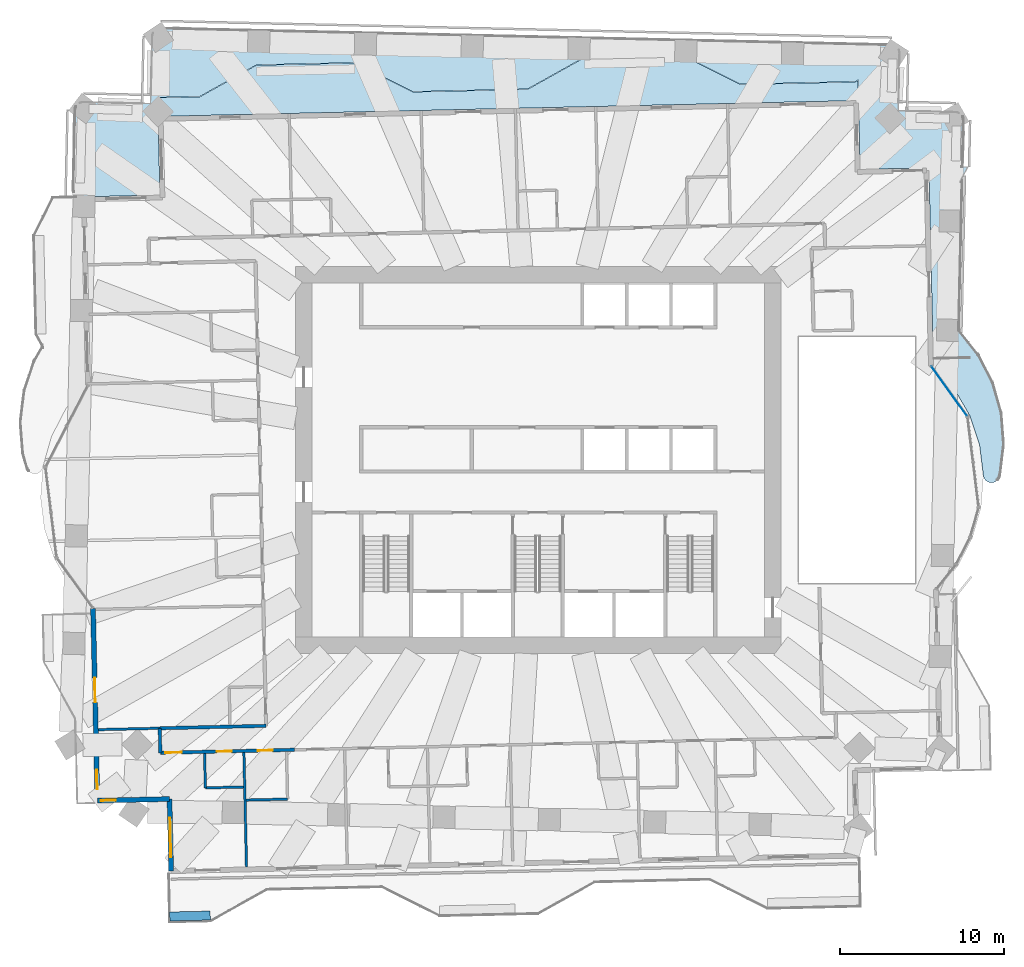
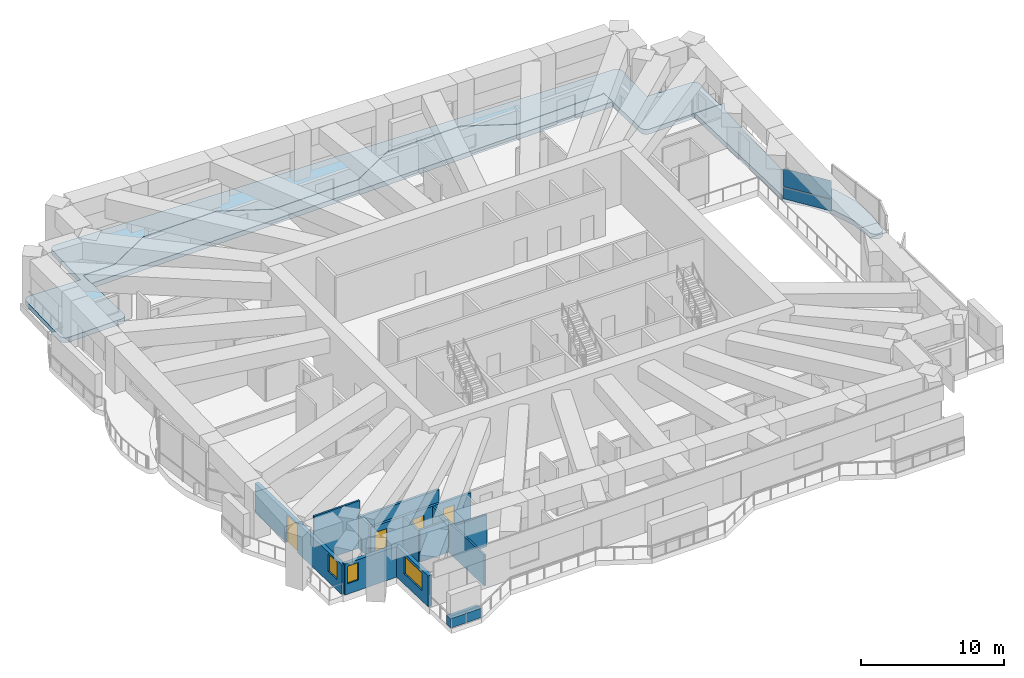
# One storey, part 9 of 21: 12 walls, 4 doors, 3 slabs, 3 windows, 2 plates, 7 openings, 1 element without a shape of its own.
"""IFC4 building model written with IfcOpenShell, lengths in metres."""

from ifc_helpers import new_model, si_unit, direction, frame, frame_2d, origin, origin_2d, place, context, subcontext, project, spatial, polyline, rectangle, outline, extrude, material, layer, layer_set, type_object, element, fill, aggregate, save


model = new_model("IFC4")

# Units and contexts
model_context = context("Model", 3, precision=1e-05, world=origin(), true_north=direction((0.0, 1.0)))
body_context = subcontext(model_context, "Body", "Model", "MODEL_VIEW")
ifc_project = project(units=[si_unit("LENGTHUNIT", "METRE"), si_unit("AREAUNIT", "SQUARE_METRE"), si_unit("VOLUMEUNIT", "CUBIC_METRE"), si_unit("PLANEANGLEUNIT", "RADIAN"), si_unit("MASSUNIT", "GRAM", prefix="KILO")], contexts=[model_context])

# Site, building, storey
site_placement = place(None, origin())
site = spatial("IfcSite", under=ifc_project, at=site_placement, CompositionType="ELEMENT")
building_placement = place(site_placement, origin())
building = spatial("IfcBuilding", under=site, at=building_placement, Name="Mangrove Gate Tower", CompositionType="ELEMENT")
storey_placement = place(building_placement, frame((0.0, 0.0, 125.5)))
storey = spatial("IfcBuildingStorey", under=building, at=storey_placement, Name="L31", CompositionType="ELEMENT", Elevation=125.5)

# Slabs
ifc_material_1 = material(Name="Porcelain tile")
ifc_layer_1 = layer(ifc_material_1, 0.02001953125, Name="Tile finish")
ifc_material_2 = material(Name="Cement sand screed")
ifc_layer_2 = layer(ifc_material_2, 0.0400390625, Name="Screed laid to falls")
ifc_material_3 = material(Name="Bituminous waterproofing membrane")
ifc_layer_3 = layer(ifc_material_3, 0.00390625, Name="Waterproofing")
ifc_material_4 = material(Name="Concrete C40/50", Category="concrete")
ifc_layer_4 = layer(ifc_material_4, 0.340087890625, Name="Balcony structural slab")
ifc_material_5 = material(Name="Limestone", Category="masonry")
ifc_layer_5 = layer(ifc_material_5, 0.01611328125, Name="Soffit lining")
ifc_layer_set_1 = layer_set([ifc_layer_1, ifc_layer_2, ifc_layer_3, ifc_layer_4, ifc_layer_5], Name="Balcony slab 420 C40/50")
slab_type_1 = type_object("IfcSlabType", Name="Balcony slab 420 C40/50", PredefinedType="FLOOR", material=ifc_layer_set_1)
slab_1_placement = place(storey_placement, frame((0.0, 0.0, -0.419921875)))
element("IfcSlab", 1, at=slab_1_placement, inside=storey, type_object=slab_type_1, Name="BALCONY L31 E1", PredefinedType="FLOOR", context=body_context, shape_type="SweptSolid", body=[
    extrude(outline(polyline([(24.10400390625, 6.06005859375), (24.10888671875, 6.055908203125), (24.110107421875, 6.051025390625), (24.10888671875, 6.0439453125), (24.10400390625, 6.0400390625), (24.10498046875, 5.992919921875), (24.10888671875, 5.943115234375), (24.116943359375, 5.89404296875), (24.131103515625, 5.845947265625), (24.14892578125, 5.799072265625), (24.1708984375, 5.7548828125), (24.197998046875, 5.712890625), (24.22998046875, 5.674072265625), (25.3720703125, 4.373046875), (26.324951171875, 2.716064453125), (26.929931640625, 0.902099609375), (27.156982421875, -0.93603515625), (27.166015625, -0.986083984375), (27.178955078125, -1.033935546875), (27.197021484375, -1.0810546875), (27.219970703125, -1.125), (27.2470703125, -1.1669921875), (27.278076171875, -1.2060546875), (27.31298828125, -1.241943359375), (27.35107421875, -1.27392578125), (27.39208984375, -1.302001953125), (27.43603515625, -1.325927734375), (27.48193359375, -1.344970703125), (27.530029296875, -1.360107421875), (27.5791015625, -1.3701171875), (27.62890625, -1.375), (27.678955078125, -1.375), (27.72802734375, -1.3701171875), (27.777099609375, -1.360107421875), (27.824951171875, -1.344970703125), (27.8701171875, -1.325927734375), (27.9140625, -1.302001953125), (27.9560546875, -1.27392578125), (27.993896484375, -1.240966796875), (28.029052734375, -1.2060546875), (28.06005859375, -1.1669921875), (28.0869140625, -1.125), (28.10888671875, -1.0810546875), (28.1279296875, -1.033935546875), (28.14697265625, -0.97705078125), (28.159912109375, -0.928955078125), (28.1689453125, -0.87890625), (28.389892578125, 0.9189453125), (28.39404296875, 0.969970703125), (28.39208984375, 1.01904296875), (28.2529296875, 2.825927734375), (28.24609375, 2.8759765625), (28.235107421875, 2.925048828125), (27.739990234375, 4.66796875), (27.72412109375, 4.716064453125), (27.702880859375, 4.760986328125), (26.873046875, 6.3720703125), (26.846923828125, 6.4150390625), (26.818115234375, 6.455078125), (25.660888671875, 7.89892578125), (25.654052734375, 7.910888671875), (25.861083984375, 17.073974609375), (25.85498046875, 17.072998046875), (25.85009765625, 17.074951171875), (25.845947265625, 17.0791015625), (25.844970703125, 17.0849609375), (26.2451171875, 17.886962890625), (23.8369140625, 17.83203125), (24.10400390625, 6.06005859375)])), origin(), (0.0, 0.0, 1.0), 0.419921875),
])
slab_2_placement = place(storey_placement, frame((0.0, 0.0, -0.419921875)))
element("IfcSlab", 2, at=slab_2_placement, inside=storey, type_object=slab_type_1, Name="BALCONY L31 N0", PredefinedType="FLOOR", context=body_context, shape_type="SweptSolid", body=[
    extrude(outline(polyline([(19.513916015625, 23.166015625), (19.344970703125, 23.072021484375), (12.345947265625, 22.9130859375), (8.804931640625, 24.68310546875), (2.806884765625, 24.547119140625), (-0.64990234375, 22.617919921875), (-7.64892578125, 22.4599609375), (-11.18994140625, 24.22900390625), (-17.18798828125, 24.093017578125), (-20.64501953125, 22.1640625), (-23.217041015625, 22.10595703125), (-23.19091796875, 20.966064453125), (19.5419921875, 21.93603515625), (19.513916015625, 23.166015625)])), origin(), (0.0, 0.0, 1.0), 0.419921875),
])

# Curtain wall, plates
ifc_material_6 = material(Name="Aluminium and glass curtain wall", Category="aluminium")
curtain_wall_type = type_object("IfcCurtainWallType", Name="Sky-lounge glazing wall", PredefinedType="NOTDEFINED", material=ifc_material_6)
curtain_wall_placement = place(storey_placement, origin())
curtain_wall = element("IfcCurtainWall", 3, at=curtain_wall_placement, inside=storey, type_object=curtain_wall_type, Name="Sky-lounge glazing E1f5", PredefinedType="NOTDEFINED")
ifc_material_7 = material(Name="Laminated low-e glass", Category="glass")
ifc_layer_6 = layer(ifc_material_7, 0.030029296875)
ifc_layer_set_2 = layer_set([ifc_layer_6], Name="Sky-lounge glazing panel 30")
plate_type = type_object("IfcPlateType", Name="Sky-lounge glazing panel 30", PredefinedType="CURTAIN_PANEL", material=ifc_layer_set_2)
plate_1_placement = place(storey_placement, frame((25.07421875, 4.203125, 0.0), z_axis=(0.0, 0.0, 1.0), x_axis=(-0.583670260949, 0.811990779802, 0.0)))
plate_1 = element("IfcPlate", 4, at=plate_1_placement, type_object=plate_type, Name="CWK panel 1.1", PredefinedType="CURTAIN_PANEL", context=body_context, shape_type="SweptSolid", body=[
    extrude(rectangle(XDim=3.696044921875, YDim=0.030029296875, at=origin_2d()), origin(), (0.0, 0.0, 1.0), 0.969970703125),
])
plate_2_placement = place(storey_placement, frame((25.07421875, 4.203125, 1.030029296875), z_axis=(0.0, 0.0, 1.0), x_axis=(-0.583670260949, 0.811990779802, 0.0)))
plate_2 = element("IfcPlate", 5, at=plate_2_placement, type_object=plate_type, Name="CWK panel 1.2", PredefinedType="CURTAIN_PANEL", context=body_context, shape_type="SweptSolid", body=[
    extrude(rectangle(XDim=3.696044921875, YDim=0.030029296875, at=origin_2d()), origin(), (0.0, 0.0, 1.0), 1.56005859375),
])
aggregate(curtain_wall, [plate_1, plate_2])

# Slab
ifc_material_8 = material(Name="Granite", Category="masonry")
ifc_layer_7 = layer(ifc_material_8, 0.030029296875, Name="Granite paving")
ifc_layer_8 = layer(ifc_material_2, 0.0400390625, Name="Bedding screed")
ifc_layer_9 = layer(ifc_material_3, 0.0048828125, Name="Waterproofing")
ifc_material_9 = material(Name="Extruded polystyrene insulation")
ifc_layer_10 = layer(ifc_material_9, 0.0400390625, Name="Insulation")
ifc_layer_11 = layer(ifc_material_4, 0.304931640625, Name="Terrace structural slab")
ifc_layer_set_3 = layer_set([ifc_layer_7, ifc_layer_8, ifc_layer_9, ifc_layer_10, ifc_layer_11], Name="Terrace slab C40/50")
slab_type_2 = type_object("IfcSlabType", Name="Terrace slab C40/50", PredefinedType="FLOOR", material=ifc_layer_set_3)
slab_3_placement = place(storey_placement, frame((0.0, 0.0, -0.419921875)))
element("IfcSlab", 6, at=slab_3_placement, inside=storey, type_object=slab_type_2, Name="TERRACE L31 1", PredefinedType="FLOOR", context=body_context, shape_type="SweptSolid", body=[
    extrude(outline(polyline([(-27.9990234375, 16.074951171875), (-27.881103515625, 16.077880859375), (-27.87890625, 16.077880859375), (-27.8779296875, 16.077880859375), (-27.8759765625, 16.076904296875), (-27.8740234375, 16.076904296875), (-27.8720703125, 16.075927734375), (-27.8701171875, 16.074951171875), (-27.868896484375, 16.073974609375), (-27.866943359375, 16.072021484375), (-27.865966796875, 16.071044921875), (-27.864990234375, 16.069091796875), (-27.864013671875, 16.068115234375), (-27.863037109375, 16.06591796875), (-27.862060546875, 16.06396484375), (-27.861083984375, 16.06201171875), (-27.861083984375, 16.06005859375), (-27.861083984375, 16.05908203125), (-23.58203125, 16.156005859375), (-23.532958984375, 16.158935546875), (-23.48388671875, 16.16796875), (-23.43701171875, 16.180908203125), (-23.39111328125, 16.197998046875), (-23.346923828125, 16.219970703125), (-23.305908203125, 16.24609375), (-23.26708984375, 16.277099609375), (-23.23095703125, 16.31005859375), (-23.198974609375, 16.346923828125), (-23.1708984375, 16.386962890625), (-23.14697265625, 16.429931640625), (-23.126953125, 16.47509765625), (-23.111083984375, 16.52197265625), (-23.10009765625, 16.569091796875), (-23.093994140625, 16.617919921875), (-23.093017578125, 16.6669921875), (-23.18994140625, 20.946044921875), (-23.19091796875, 20.946044921875), (-23.193115234375, 20.946044921875), (-23.194091796875, 20.946044921875), (-23.196044921875, 20.947021484375), (-23.197998046875, 20.947021484375), (-23.199951171875, 20.947998046875), (-23.201904296875, 20.948974609375), (-23.202880859375, 20.949951171875), (-23.205078125, 20.951904296875), (-23.2060546875, 20.952880859375), (-23.20703125, 20.955078125), (-23.2080078125, 20.9560546875), (-23.208984375, 20.9580078125), (-23.2099609375, 20.9599609375), (-23.2109375, 20.9619140625), (-23.2109375, 20.964111328125), (-23.2109375, 20.966064453125), (-23.237060546875, 22.10595703125), (-23.237060546875, 22.10791015625), (-23.237060546875, 22.10888671875), (-23.236083984375, 22.111083984375), (-23.236083984375, 22.113037109375), (-23.235107421875, 22.114990234375), (-23.23388671875, 22.116943359375), (-23.23291015625, 22.117919921875), (-23.23095703125, 22.1201171875), (-23.22998046875, 22.12109375), (-23.22802734375, 22.1220703125), (-23.22705078125, 22.123046875), (-23.22509765625, 22.1240234375), (-23.222900390625, 22.125), (-23.220947265625, 22.1259765625), (-23.218994140625, 22.1259765625), (-23.217041015625, 22.1259765625), (-20.64990234375, 22.18408203125), (-17.197998046875, 24.110107421875), (-17.196044921875, 24.111083984375), (-17.194091796875, 24.112060546875), (-17.19189453125, 24.113037109375), (-17.18994140625, 24.113037109375), (-17.18798828125, 24.113037109375), (-11.18994140625, 24.2490234375), (-11.18896484375, 24.2490234375), (-11.18701171875, 24.2490234375), (-11.18505859375, 24.248046875), (-11.18310546875, 24.248046875), (-11.180908203125, 24.2470703125), (-7.64404296875, 22.47900390625), (-1.85009765625, 22.611083984375), (-0.655029296875, 22.637939453125), (2.797119140625, 24.56396484375), (2.799072265625, 24.56494140625), (2.801025390625, 24.56591796875), (2.802978515625, 24.56689453125), (2.804931640625, 24.56689453125), (2.806884765625, 24.56689453125), (8.804931640625, 24.702880859375), (8.805908203125, 24.702880859375), (8.80810546875, 24.702880859375), (8.81005859375, 24.701904296875), (8.81201171875, 24.701904296875), (8.81396484375, 24.700927734375), (12.35107421875, 22.93310546875), (19.340087890625, 23.092041015625), (19.50390625, 23.18310546875), (19.506103515625, 23.18408203125), (19.508056640625, 23.18505859375), (19.510009765625, 23.18603515625), (19.511962890625, 23.18603515625), (19.513916015625, 23.18603515625), (19.51611328125, 23.18603515625), (19.51806640625, 23.18603515625), (19.51904296875, 23.18505859375), (19.52099609375, 23.18505859375), (19.52294921875, 23.18408203125), (19.52490234375, 23.18310546875), (19.52587890625, 23.181884765625), (19.528076171875, 23.179931640625), (19.529052734375, 23.178955078125), (19.530029296875, 23.177001953125), (19.531005859375, 23.176025390625), (19.531982421875, 23.174072265625), (19.532958984375, 23.172119140625), (19.533935546875, 23.169921875), (19.533935546875, 23.16796875), (19.533935546875, 23.166015625), (19.56201171875, 21.93603515625), (19.56201171875, 21.93408203125), (19.56201171875, 21.93310546875), (19.56103515625, 21.930908203125), (19.56103515625, 21.928955078125), (19.56005859375, 21.927001953125), (19.55908203125, 21.925048828125), (19.55810546875, 21.924072265625), (19.555908203125, 21.922119140625), (19.554931640625, 21.9208984375), (19.552978515625, 21.919921875), (19.552001953125, 21.9189453125), (19.550048828125, 21.91796875), (19.548095703125, 21.9169921875), (19.5458984375, 21.916015625), (19.5439453125, 21.916015625), (19.54296875, 21.916015625), (19.6259765625, 18.237060546875), (19.6298828125, 18.18798828125), (19.637939453125, 18.138916015625), (19.65087890625, 18.092041015625), (19.6689453125, 18.0458984375), (19.69091796875, 18.001953125), (19.717041015625, 17.9609375), (19.7470703125, 17.922119140625), (19.781005859375, 17.886962890625), (19.818115234375, 17.85400390625), (19.85791015625, 17.825927734375), (19.90087890625, 17.802001953125), (19.945068359375, 17.781982421875), (19.991943359375, 17.76611328125), (20.0400390625, 17.756103515625), (20.087890625, 17.7490234375), (20.137939453125, 17.748046875), (23.81689453125, 17.83203125), (23.81689453125, 17.833984375), (23.81689453125, 17.8349609375), (23.818115234375, 17.8369140625), (23.818115234375, 17.839111328125), (23.819091796875, 17.841064453125), (23.820068359375, 17.843017578125), (23.821044921875, 17.843994140625), (23.822998046875, 17.845947265625), (23.823974609375, 17.846923828125), (23.825927734375, 17.847900390625), (23.826904296875, 17.84912109375), (23.8291015625, 17.85009765625), (23.8310546875, 17.85107421875), (23.8330078125, 17.85205078125), (23.8349609375, 17.85205078125), (23.8369140625, 17.85205078125), (25.8798828125, 17.89892578125), (25.944091796875, 20.72998046875), (25.943115234375, 20.779052734375), (25.93701171875, 20.827880859375), (25.926025390625, 20.8759765625), (25.909912109375, 20.922119140625), (25.889892578125, 20.967041015625), (25.865966796875, 21.010009765625), (25.837890625, 21.050048828125), (25.805908203125, 21.0869140625), (25.77001953125, 21.12109375), (25.73095703125, 21.15087890625), (25.68994140625, 21.177001953125), (25.64599609375, 21.198974609375), (25.60009765625, 21.216064453125), (25.552978515625, 21.22900390625), (25.50390625, 21.238037109375), (25.455078125, 21.240966796875), (21.968994140625, 21.320068359375), (21.95703125, 21.321044921875), (21.95703125, 21.3330078125), (22.035888671875, 24.820068359375), (22.033935546875, 24.868896484375), (22.028076171875, 24.9169921875), (22.01806640625, 24.965087890625), (22.001953125, 25.011962890625), (21.98193359375, 25.056884765625), (21.9580078125, 25.09912109375), (21.928955078125, 25.138916015625), (21.89697265625, 25.177001953125), (21.862060546875, 25.2099609375), (21.822998046875, 25.239990234375), (21.781982421875, 25.26708984375), (21.738037109375, 25.2890625), (21.69189453125, 25.305908203125), (21.64501953125, 25.319091796875), (21.595947265625, 25.326904296875), (21.547119140625, 25.3310546875), (-23.049072265625, 26.343017578125), (-23.097900390625, 26.342041015625), (-23.14697265625, 26.3359375), (-23.195068359375, 26.324951171875), (-23.240966796875, 26.30908203125), (-23.285888671875, 26.2890625), (-23.3291015625, 26.264892578125), (-23.368896484375, 26.237060546875), (-23.406005859375, 26.205078125), (-23.43994140625, 26.1689453125), (-23.469970703125, 26.1298828125), (-23.49609375, 26.089111328125), (-23.51806640625, 26.044921875), (-23.535888671875, 25.9990234375), (-23.549072265625, 25.951904296875), (-23.556884765625, 25.903076171875), (-23.56103515625, 25.85400390625), (-23.653076171875, 21.76806640625), (-23.654052734375, 21.756103515625), (-23.666015625, 21.756103515625), (-27.751953125, 21.84912109375), (-27.802001953125, 21.846923828125), (-27.85009765625, 21.841064453125), (-27.89794921875, 21.830078125), (-27.945068359375, 21.81494140625), (-27.989013671875, 21.794921875), (-28.031982421875, 21.77099609375), (-28.072021484375, 21.741943359375), (-28.10888671875, 21.7099609375), (-28.14306640625, 21.675048828125), (-28.173095703125, 21.635986328125), (-28.198974609375, 21.593994140625), (-28.220947265625, 21.550048828125), (-28.239013671875, 21.5048828125), (-28.251953125, 21.45703125), (-28.260009765625, 21.408935546875), (-28.263916015625, 21.360107421875), (-28.3720703125, 16.570068359375), (-28.37109375, 16.52001953125), (-28.364990234375, 16.468994140625), (-28.35302734375, 16.419921875), (-28.3369140625, 16.373046875), (-28.31494140625, 16.326904296875), (-28.2900390625, 16.282958984375), (-28.260009765625, 16.242919921875), (-28.22607421875, 16.205078125), (-28.18896484375, 16.1708984375), (-28.14794921875, 16.14111328125), (-28.10400390625, 16.115966796875), (-28.05908203125, 16.094970703125), (-28.010986328125, 16.077880859375), (-27.9990234375, 16.074951171875)])), origin(), (0.0, 0.0, 1.0), 0.419921875),
])

# Wall
ifc_material_10 = material(Name="Gypsum board on steel stud, EI 60", Category="steel")
ifc_layer_12 = layer(ifc_material_10, 0.199951171875)
ifc_layer_set_4 = layer_set([ifc_layer_12], Name="Corridor wall EI 60")
wall_type_1 = type_object("IfcWallType", Name="Corridor wall EI 60", PredefinedType="PARTITIONING", material=ifc_layer_set_4)
wall_1_placement = place(storey_placement, frame((-23.05810546875, -17.864990234375, 0.0), z_axis=(0.0, 0.0, 1.0), x_axis=(-0.022617910375, 0.999744182344, 0.0)))
element("IfcWall", 7, at=wall_1_placement, inside=storey, type_object=wall_type_1, Name="WALL-L31-020", PredefinedType="PARTITIONING", context=body_context, shape_type="SweptSolid", body=[
    extrude(rectangle(XDim=1.50048828125, YDim=0.199951171875, at=frame_2d((0.750244140625, 0.0))), origin(), (0.0, 0.0, 1.0), 2.85009765625),
])

# Wall, openings, doors
wall_2_placement = place(storey_placement, frame((-23.052978515625, -17.861083984375, 0.0), z_axis=(0.0, 0.0, 1.0), x_axis=(0.999741542811, 0.022734282003, 0.0)))
wall_2 = element("IfcWall", 8, at=wall_2_placement, inside=storey, type_object=wall_type_1, Name="WALL-L31-022", PredefinedType="PARTITIONING", context=body_context, shape_type="SweptSolid", body=[
    extrude(rectangle(XDim=8.18310546875, YDim=0.199951171875, at=frame_2d((4.091552734375, 0.0))), origin(), (0.0, 0.0, 1.0), 2.64990234375),
])
opening_1_placement = place(wall_2_placement, frame((0.300048828125, 0.0, 0.0)))
opening_1 = element("IfcOpeningElement", 9, at=opening_1_placement, cuts=wall_2, Name="Opening AD", PredefinedType="OPENING", context=body_context, shape_type="SweptSolid", body=[
    extrude(rectangle(XDim=1.0, YDim=2.10009765625, at=frame_2d((0.5, 1.050048828125))), frame((0.0, 0.10986328125, 0.0), z_axis=(0.0, -1.0, 0.0), x_axis=(1.0, 0.0, 0.0)), (0.0, 0.0, 1.0), 0.219970703125),
])
opening_2_placement = place(wall_2_placement, frame((3.443115234375, 0.0, 0.0)))
opening_2 = element("IfcOpeningElement", 10, at=opening_2_placement, cuts=wall_2, Name="Opening SD", PredefinedType="OPENING", context=body_context, shape_type="SweptSolid", body=[
    extrude(rectangle(XDim=0.89990234375, YDim=2.10009765625, at=frame_2d((0.449951171875, 1.050048828125))), frame((0.0, 0.10986328125, 0.0), z_axis=(0.0, -1.0, 0.0), x_axis=(1.0, 0.0, 0.0)), (0.0, 0.0, 1.0), 0.219970703125),
])
opening_3_placement = place(wall_2_placement, frame((5.943115234375, 0.0, 0.0)))
opening_3 = element("IfcOpeningElement", 11, at=opening_3_placement, cuts=wall_2, Name="Opening SD", PredefinedType="OPENING", context=body_context, shape_type="SweptSolid", body=[
    extrude(rectangle(XDim=0.89990234375, YDim=2.10009765625, at=frame_2d((0.449951171875, 1.050048828125))), frame((0.0, 0.10986328125, 0.0), z_axis=(0.0, -1.0, 0.0), x_axis=(1.0, 0.0, 0.0)), (0.0, 0.0, 1.0), 0.219970703125),
])
ifc_material_11 = material(Name="Timber door leaf", Category="wood")
door_type_1 = type_object("IfcDoorType", Name="Amenity door 1000", OperationType="SINGLE_SWING_LEFT", PredefinedType="DOOR", material=ifc_material_11)
door_1_placement = place(opening_1_placement, origin())
door_1 = element("IfcDoor", 12, at=door_1_placement, inside=storey, type_object=door_type_1, Name="DOOR-L31-STU-c1a", OperationType="SINGLE_SWING_LEFT", OverallHeight=2.10009765625, OverallWidth=1.0, PredefinedType="DOOR", context=body_context, shape_type="SweptSolid", body=[
    extrude(rectangle(XDim=1.0, YDim=2.10009765625, at=frame_2d((0.5, 1.050048828125))), frame((0.0, 0.02490234375, 0.0), z_axis=(0.0, -1.0, 0.0), x_axis=(1.0, 0.0, 0.0)), (0.0, 0.0, 1.0), 0.050048828125),
])
fill(opening_1, door_1)
ifc_material_12 = material(Name="Timber door leaf", Category="wood")
door_type_2 = type_object("IfcDoorType", Name="Service room door 900", OperationType="SINGLE_SWING_LEFT", PredefinedType="DOOR", material=ifc_material_12)
door_2_placement = place(opening_2_placement, origin())
door_2 = element("IfcDoor", 13, at=door_2_placement, inside=storey, type_object=door_type_2, Name="DOOR-L31-LIN-c1a", OperationType="SINGLE_SWING_LEFT", OverallHeight=2.10009765625, OverallWidth=0.89990234375, PredefinedType="DOOR", context=body_context, shape_type="SweptSolid", body=[
    extrude(rectangle(XDim=0.89990234375, YDim=2.10009765625, at=frame_2d((0.449951171875, 1.050048828125))), frame((0.0, 0.02490234375, 0.0), z_axis=(0.0, -1.0, 0.0), x_axis=(1.0, 0.0, 0.0)), (0.0, 0.0, 1.0), 0.050048828125),
])
fill(opening_2, door_2)
door_3_placement = place(opening_3_placement, origin())
door_3 = element("IfcDoor", 14, at=door_3_placement, inside=storey, type_object=door_type_2, Name="DOOR-L31-AWC-c1a", OperationType="SINGLE_SWING_RIGHT", OverallHeight=2.10009765625, OverallWidth=0.89990234375, PredefinedType="DOOR", context=body_context, shape_type="SweptSolid", body=[
    extrude(rectangle(XDim=0.89990234375, YDim=2.10009765625, at=frame_2d((0.449951171875, 1.050048828125))), frame((0.0, 0.02490234375, 0.0), z_axis=(0.0, -1.0, 0.0), x_axis=(1.0, 0.0, 0.0)), (0.0, 0.0, 1.0), 0.050048828125),
])
fill(opening_3, door_3)

# Wall
wall_3_placement = place(storey_placement, frame((-23.0869140625, -16.361083984375, 0.0), z_axis=(0.0, 0.0, 1.0), x_axis=(0.999743116792, 0.022664960319, 0.0)))
element("IfcWall", 15, at=wall_3_placement, inside=storey, type_object=wall_type_1, Name="WALL-L31-029", PredefinedType="PARTITIONING", context=body_context, shape_type="SweptSolid", body=[
    extrude(rectangle(XDim=6.484619140625, YDim=0.199951171875, at=frame_2d((3.2421875, 0.0))), origin(), (0.0, 0.0, 1.0), 2.64990234375),
])

# Wall, openings, door, window
ifc_layer_13 = layer(ifc_material_5, 0.0400390625, Name="Limestone cladding")
ifc_material_13 = material(Name="Ventilated air gap")
ifc_layer_14 = layer(ifc_material_13, 0.0400390625, Name="Ventilated cavity")
ifc_material_14 = material(Name="Mineral wool insulation")
ifc_layer_15 = layer(ifc_material_14, 0.06005859375, Name="Insulation")
ifc_material_15 = material(Name="Breather membrane")
ifc_layer_16 = layer(ifc_material_15, 0.001953125, Name="Breather membrane")
ifc_material_16 = material(Name="Concrete C20/25 blockwork", Category="masonry")
ifc_layer_17 = layer(ifc_material_16, 0.14990234375, Name="Blockwork backing wall")
ifc_material_17 = material(Name="Gypsum plaster")
ifc_layer_18 = layer(ifc_material_17, 0.008056640625, Name="Internal plaster")
ifc_layer_set_5 = layer_set([ifc_layer_13, ifc_layer_14, ifc_layer_15, ifc_layer_16, ifc_layer_17, ifc_layer_18], Name="External wall 300 limestone cladding")
wall_type_2 = type_object("IfcWallType", Name="External wall 300 limestone cladding", PredefinedType="SOLIDWALL", material=ifc_layer_set_5)
wall_4_placement = place(storey_placement, frame((-27.160888671875, -9.052001953125, 0.0), z_axis=(0.0, 0.0, 1.0), x_axis=(0.022665616813, -0.999743101909, 0.0)))
wall_4 = element("IfcWall", 16, at=wall_4_placement, inside=storey, type_object=wall_type_2, Name="WALL-L31-W10", PredefinedType="SOLIDWALL", context=body_context, shape_type="SweptSolid", body=[
    extrude(rectangle(XDim=11.72998046875, YDim=0.300048828125, at=frame_2d((5.864990234375, 0.0))), origin(), (0.0, 0.0, 1.0), 2.550048828125),
])
opening_4_placement = place(wall_4_placement, frame((4.23095703125, 0.0, 0.0)))
opening_4 = element("IfcOpeningElement", 17, at=opening_4_placement, cuts=wall_4, Name="Opening BD1", PredefinedType="OPENING", context=body_context, shape_type="SweptSolid", body=[
    extrude(rectangle(XDim=1.5, YDim=2.39990234375, at=frame_2d((0.75, 1.199951171875))), frame((0.0, 0.159912109375, 0.0), z_axis=(0.0, -1.0, 0.0), x_axis=(1.0, 0.0, 0.0)), (0.0, 0.0, 1.0), 0.320068359375),
])
opening_5_placement = place(wall_4_placement, frame((9.846923828125, 0.0, 0.89990234375)))
opening_5 = element("IfcOpeningElement", 18, at=opening_5_placement, cuts=wall_4, Name="Opening W1", PredefinedType="OPENING", context=body_context, shape_type="SweptSolid", body=[
    extrude(rectangle(XDim=1.199951171875, YDim=1.5, at=frame_2d((0.60009765625, 0.75))), frame((0.0, 0.159912109375, 0.0), z_axis=(0.0, -1.0, 0.0), x_axis=(1.0, 0.0, 0.0)), (0.0, 0.0, 1.0), 0.320068359375),
])
ifc_material_18 = material(Name="Aluminium frame with laminated clear glass", Category="aluminium")
door_type_3 = type_object("IfcDoorType", Name="Balcony sliding door 1500x2400", OperationType="SLIDING_TO_LEFT", PredefinedType="DOOR", material=ifc_material_18)
door_4_placement = place(opening_4_placement, origin())
door_4 = element("IfcDoor", 19, at=door_4_placement, inside=storey, type_object=door_type_3, Name="DOOR-L31-W10-1", OperationType="SLIDING_TO_LEFT", OverallHeight=2.39990234375, OverallWidth=1.5, PredefinedType="DOOR", context=body_context, shape_type="SweptSolid", body=[
    extrude(rectangle(XDim=1.5, YDim=2.39990234375, at=frame_2d((0.75, 1.199951171875))), frame((0.0, 0.02490234375, 0.0), z_axis=(0.0, -1.0, 0.0), x_axis=(1.0, 0.0, 0.0)), (0.0, 0.0, 1.0), 0.050048828125),
])
fill(opening_4, door_4)
ifc_material_19 = material(Name="Aluminium frame with double-glazed low-e glass", Category="aluminium")
window_type_1 = type_object("IfcWindowType", Name="Side lite 1200x1500", PartitioningType="SINGLE_PANEL", PredefinedType="WINDOW", material=ifc_material_19)
window_1_placement = place(opening_5_placement, origin())
window_1 = element("IfcWindow", 20, at=window_1_placement, inside=storey, type_object=window_type_1, Name="WIN-L31-W10-2", OverallHeight=1.5, OverallWidth=1.199951171875, PartitioningType="SINGLE_PANEL", PredefinedType="WINDOW", context=body_context, shape_type="SweptSolid", body=[
    extrude(rectangle(XDim=1.199951171875, YDim=1.5, at=frame_2d((0.60009765625, 0.75))), frame((0.0, 0.030029296875, 0.0), z_axis=(0.0, -1.0, 0.0), x_axis=(1.0, 0.0, 0.0)), (0.0, 0.0, 1.0), 0.06005859375),
])
fill(opening_5, window_1)

# Wall, opening, window
wall_5_placement = place(storey_placement, frame((-26.89501953125, -20.779052734375, 0.0), z_axis=(0.0, 0.0, 1.0), x_axis=(0.999741204967, 0.022749133868, 0.0)))
wall_5 = element("IfcWall", 21, at=wall_5_placement, inside=storey, type_object=wall_type_2, Name="WALL-L31-S11", PredefinedType="SOLIDWALL", context=body_context, shape_type="SweptSolid", body=[
    extrude(rectangle(XDim=4.400146484375, YDim=0.300048828125, at=frame_2d((2.2001953125, 0.0))), origin(), (0.0, 0.0, 1.0), 2.64990234375),
])
opening_6_placement = place(wall_5_placement, frame((0.2109375, 0.0, 0.89990234375)))
opening_6 = element("IfcOpeningElement", 22, at=opening_6_placement, cuts=wall_5, Name="Opening W5", PredefinedType="OPENING", context=body_context, shape_type="SweptSolid", body=[
    extrude(rectangle(XDim=0.89990234375, YDim=1.5, at=frame_2d((0.449951171875, 0.75))), frame((0.0, 0.159912109375, 0.0), z_axis=(0.0, -1.0, 0.0), x_axis=(1.0, 0.0, 0.0)), (0.0, 0.0, 1.0), 0.320068359375),
])
ifc_material_20 = material(Name="Aluminium frame with double-glazed low-e glass", Category="aluminium")
window_type_2 = type_object("IfcWindowType", Name="Narrow window 900x1500", PartitioningType="SINGLE_PANEL", PredefinedType="WINDOW", material=ifc_material_20)
window_2_placement = place(opening_6_placement, origin())
window_2 = element("IfcWindow", 23, at=window_2_placement, inside=storey, type_object=window_type_2, Name="WIN-L31-S11-1", OverallHeight=1.5, OverallWidth=0.89990234375, PartitioningType="SINGLE_PANEL", PredefinedType="WINDOW", context=body_context, shape_type="SweptSolid", body=[
    extrude(rectangle(XDim=0.89990234375, YDim=1.5, at=frame_2d((0.449951171875, 0.75))), frame((0.0, 0.030029296875, 0.0), z_axis=(0.0, -1.0, 0.0), x_axis=(1.0, 0.0, 0.0)), (0.0, 0.0, 1.0), 0.06005859375),
])
fill(opening_6, window_2)

wall_6_placement = place(storey_placement, frame((-22.49609375, -20.678955078125, 0.0), z_axis=(0.0, 0.0, 1.0), x_axis=(0.022749133868, -0.999741204967, 0.0)))
wall_6 = element("IfcWall", 24, at=wall_6_placement, inside=storey, type_object=wall_type_2, Name="WALL-L31-W12", PredefinedType="SOLIDWALL", context=body_context, shape_type="SweptSolid", body=[
    extrude(rectangle(XDim=4.400146484375, YDim=0.300048828125, at=frame_2d((2.2001953125, 0.0))), origin(), (0.0, 0.0, 1.0), 2.64990234375),
])
opening_7_placement = place(wall_6_placement, frame((1.14990234375, 0.0, 0.89990234375)))
opening_7 = element("IfcOpeningElement", 25, at=opening_7_placement, cuts=wall_6, Name="Opening W2", PredefinedType="OPENING", context=body_context, shape_type="SweptSolid", body=[
    extrude(rectangle(XDim=2.39990234375, YDim=1.5, at=frame_2d((1.199951171875, 0.75))), frame((0.0, 0.159912109375, 0.0), z_axis=(0.0, -1.0, 0.0), x_axis=(1.0, 0.0, 0.0)), (0.0, 0.0, 1.0), 0.320068359375),
])
ifc_material_21 = material(Name="Aluminium frame with double-glazed low-e glass", Category="aluminium")
window_type_3 = type_object("IfcWindowType", Name="Corner room window 2400x1500", PartitioningType="DOUBLE_PANEL_VERTICAL", PredefinedType="WINDOW", material=ifc_material_21)
window_3_placement = place(opening_7_placement, origin())
window_3 = element("IfcWindow", 26, at=window_3_placement, inside=storey, type_object=window_type_3, Name="WIN-L31-W12-1", OverallHeight=1.5, OverallWidth=2.39990234375, PartitioningType="DOUBLE_PANEL_VERTICAL", PredefinedType="WINDOW", context=body_context, shape_type="SweptSolid", body=[
    extrude(rectangle(XDim=2.39990234375, YDim=1.5, at=frame_2d((1.199951171875, 0.75))), frame((0.0, 0.030029296875, 0.0), z_axis=(0.0, -1.0, 0.0), x_axis=(1.0, 0.0, 0.0)), (0.0, 0.0, 1.0), 0.06005859375),
])
fill(opening_7, window_3)

# Walls
ifc_material_22 = material(Name="Gypsum board on steel stud, EI 60", Category="steel")
ifc_layer_19 = layer(ifc_material_22, 0.14990234375)
ifc_layer_set_6 = layer_set([ifc_layer_19], Name="Party wall 150 EI 60")
wall_type_3 = type_object("IfcWallType", Name="Party wall 150 EI 60", PredefinedType="PARTITIONING", material=ifc_layer_set_6)
wall_7_placement = place(storey_placement, frame((-17.798095703125, -24.823974609375, 0.0), z_axis=(0.0, 0.0, 1.0), x_axis=(-0.022781023197, 0.999740478815, 0.0)))
element("IfcWall", 27, at=wall_7_placement, inside=storey, type_object=wall_type_3, Name="WALL-L31-001", PredefinedType="PARTITIONING", context=body_context, shape_type="SweptSolid", body=[
    extrude(rectangle(XDim=6.9765625, YDim=0.14990234375, at=frame_2d((3.48828125, 0.0))), origin(), (0.0, 0.0, 1.0), 2.64990234375),
])
wall_8_placement = place(storey_placement, frame((-17.818115234375, -20.742919921875, 0.0), z_axis=(0.0, 0.0, 1.0), x_axis=(0.999746160391, 0.022530308093, 0.0)))
element("IfcWall", 28, at=wall_8_placement, inside=storey, type_object=wall_type_3, Name="WALL-L31-008", PredefinedType="PARTITIONING", context=body_context, shape_type="SweptSolid", body=[
    extrude(rectangle(XDim=2.52490234375, YDim=0.14990234375, at=frame_2d((1.262451171875, 0.0))), origin(), (0.0, 0.0, 1.0), 2.75),
])
wall_9_placement = place(storey_placement, frame((-20.30810546875, -20.0029296875, 0.0), z_axis=(0.0, 0.0, 1.0), x_axis=(-0.022792727877, 0.999740212033, 0.0)))
element("IfcWall", 29, at=wall_9_placement, inside=storey, type_object=wall_type_3, Name="WALL-L31-014", PredefinedType="PARTITIONING", context=body_context, shape_type="SweptSolid", body=[
    extrude(rectangle(XDim=2.099365234375, YDim=0.14990234375, at=frame_2d((1.0498046875, 0.0))), origin(), (0.0, 0.0, 1.0), 2.64990234375),
])
wall_10_placement = place(storey_placement, frame((-20.31103515625, -19.9990234375, 0.0), z_axis=(0.0, 0.0, 1.0), x_axis=(0.999740478815, 0.022781023197, 0.0)))
element("IfcWall", 30, at=wall_10_placement, inside=storey, type_object=wall_type_3, Name="WALL-L31-017", PredefinedType="PARTITIONING", context=body_context, shape_type="SweptSolid", body=[
    extrude(rectangle(XDim=2.325439453125, YDim=0.14990234375, at=frame_2d((1.16259765625, 0.0))), origin(), (0.0, 0.0, 1.0), 2.75),
])
wall_11_placement = place(storey_placement, frame((-26.843017578125, -16.447021484375, 0.0), z_axis=(0.0, 0.0, 1.0), x_axis=(0.999738911718, 0.022849691379, 0.0)))
element("IfcWall", 31, at=wall_11_placement, inside=storey, type_object=wall_type_3, Name="WALL-L31-028", PredefinedType="PARTITIONING", context=body_context, shape_type="SweptSolid", body=[
    extrude(rectangle(XDim=3.760986328125, YDim=0.14990234375, at=frame_2d((1.88037109375, 0.0))), origin(), (0.0, 0.0, 1.0), 4.050048828125),
])
ifc_material_23 = material(Name="Concrete C32/40", Category="concrete")
ifc_layer_20 = layer(ifc_material_23, 0.199951171875, Name="Planter trough wall")
ifc_layer_21 = layer(ifc_material_3, 0.0048828125, Name="Waterproofing")
ifc_material_24 = material(Name="Drainage board and gravel")
ifc_layer_22 = layer(ifc_material_24, 0.044921875, Name="Drainage layer")
ifc_material_25 = material(Name="Planting soil")
ifc_layer_23 = layer(ifc_material_25, 0.300048828125, Name="Growing medium")
ifc_layer_set_7 = layer_set([ifc_layer_20, ifc_layer_21, ifc_layer_22, ifc_layer_23], Name="Planter wall 550 C32/40")
wall_type_4 = type_object("IfcWallType", Name="Planter wall 550 C32/40", PredefinedType="USERDEFINED", material=ifc_layer_set_7)
wall_12_placement = place(storey_placement, frame((-22.48291015625, -27.844970703125, 0.0), z_axis=(0.0, 0.0, 1.0), x_axis=(0.99974432732, 0.022611501329, 0.0)))
element("IfcWall", 32, at=wall_12_placement, inside=storey, type_object=wall_type_4, Name="PLANTER L31 S0.1", ObjectType="PLANTER", PredefinedType="USERDEFINED", context=body_context, shape_type="SweptSolid", body=[
    extrude(rectangle(XDim=2.47265625, YDim=0.550048828125, at=frame_2d((1.236328125, 0.0))), origin(), (0.0, 0.0, 1.0), 0.800048828125),
])

save(model, "model.ifc")
